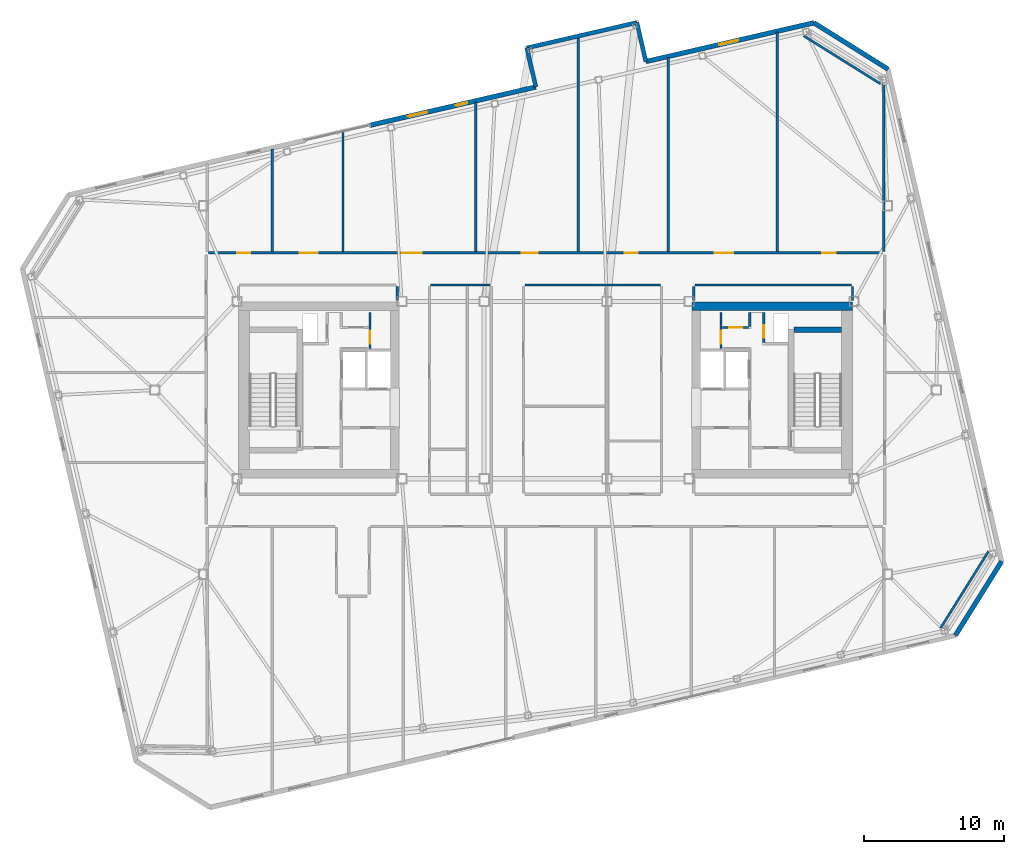
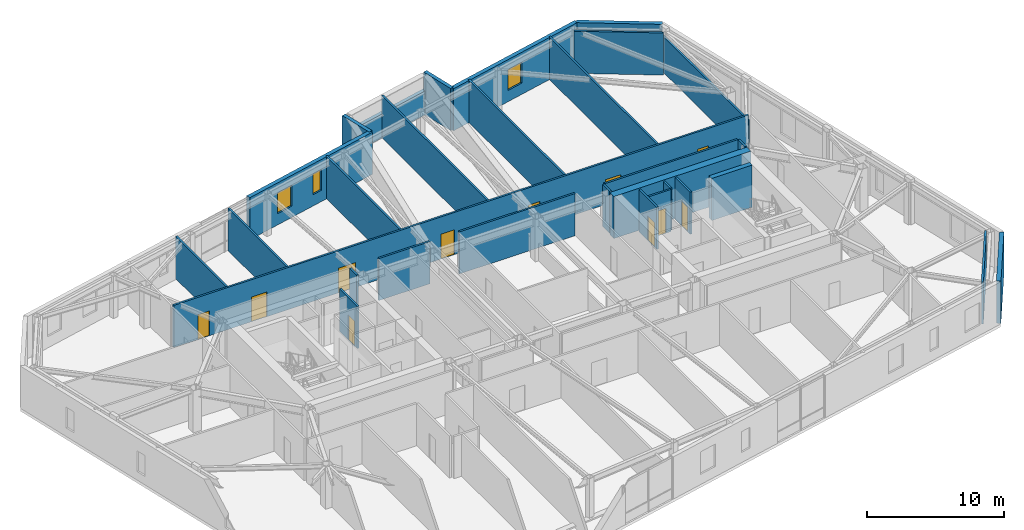
# One storey, part 18 of 22: 30 walls, 11 doors, 3 windows, 14 openings.
"""IFC4 building model written with IfcOpenShell, lengths in metres."""

from ifc_helpers import new_model, si_unit, direction, frame, frame_2d, origin, place, context, subcontext, project, spatial, rectangle, extrude, material, layer, layer_set, type_object, element, fill, save


model = new_model("IFC4")

# Units and contexts
model_context = context("Model", 3, precision=1e-05, world=origin(), true_north=direction((0.0, 1.0)))
body_context = subcontext(model_context, "Body", "Model", "MODEL_VIEW")
ifc_project = project(units=[si_unit("LENGTHUNIT", "METRE"), si_unit("AREAUNIT", "SQUARE_METRE"), si_unit("VOLUMEUNIT", "CUBIC_METRE"), si_unit("PLANEANGLEUNIT", "RADIAN"), si_unit("MASSUNIT", "GRAM", prefix="KILO")], contexts=[model_context])

# Site, building, storey
site_placement = place(None, origin())
site = spatial("IfcSite", under=ifc_project, at=site_placement, CompositionType="ELEMENT")
building_placement = place(site_placement, origin())
building = spatial("IfcBuilding", under=site, at=building_placement, Name="Tavrogorsk Clinical Tower", CompositionType="ELEMENT")
storey_placement = place(building_placement, frame((0.0, 0.0, 313.0)))
storey = spatial("IfcBuildingStorey", under=building, at=storey_placement, Name="L73", CompositionType="ELEMENT", Elevation=313.0)

# Wall, opening, door
ifc_material_1 = material(Name="Lightweight concrete blockwork B15", Category="masonry")
ifc_layer_1 = layer(ifc_material_1, 0.159912109375)
ifc_layer_set_1 = layer_set([ifc_layer_1], Name="Lightweight concrete blockwork B15")
wall_type_1 = type_object("IfcWallType", Name="PartitionWall_160", PredefinedType="PARTITIONING", material=ifc_layer_set_1)
wall_1_placement = place(storey_placement, frame((-12.580078125, 2.9599609375, 0.0), z_axis=(0.0, 0.0, 1.0), x_axis=(0.0, 1.0, 0.0)))
wall_1 = element("IfcWall", 1, at=wall_1_placement, inside=storey, type_object=wall_type_1, Name="L73 Core West Linen Closet Wall", PredefinedType="PARTITIONING", context=body_context, shape_type="SweptSolid", body=[
    extrude(rectangle(XDim=2.60009765625, YDim=0.159912109375, at=frame_2d((1.300048828125, 0.0))), origin(), (0.0, 0.0, 1.0), 3.739990234375),
])
opening_1_placement = place(wall_1_placement, frame((0.35009765625, 0.0, 0.0)))
opening_1 = element("IfcOpeningElement", 2, at=opening_1_placement, cuts=wall_1, Name="Opening ID-02", PredefinedType="OPENING", context=body_context, shape_type="SweptSolid", body=[
    extrude(rectangle(XDim=0.949951171875, YDim=2.199951171875, at=frame_2d((0.47509765625, 1.10009765625))), frame((0.0, 0.08984375, 0.0), z_axis=(0.0, -1.0, 0.0), x_axis=(1.0, 0.0, 0.0)), (0.0, 0.0, 1.0), 0.179931640625),
])
ifc_material_2 = material(Name="Laminated timber leaf on aluminium frame", Category="wood")
door_type_1 = type_object("IfcDoorType", Name="InteriorDoor_ID02_950", OperationType="NOTDEFINED", PredefinedType="DOOR", material=ifc_material_2)
door_1_placement = place(opening_1_placement, origin())
door_1 = element("IfcDoor", 3, at=door_1_placement, inside=storey, type_object=door_type_1, Name="L73 Core West Linen Closet Door", OperationType="SINGLE_SWING_RIGHT", OverallHeight=2.199951171875, OverallWidth=0.949951171875, PredefinedType="DOOR", context=body_context, shape_type="SweptSolid", body=[
    extrude(rectangle(XDim=0.949951171875, YDim=2.199951171875, at=frame_2d((0.47509765625, 1.10009765625))), frame((0.0, 0.02490234375, 0.0), z_axis=(0.0, -1.0, 0.0), x_axis=(1.0, 0.0, 0.0)), (0.0, 0.0, 1.0), 0.050048828125),
])
fill(opening_1, door_1)

wall_2_placement = place(storey_placement, frame((12.580078125, 2.9599609375, 0.0), z_axis=(0.0, 0.0, 1.0), x_axis=(0.0, 1.0, 0.0)))
wall_2 = element("IfcWall", 4, at=wall_2_placement, inside=storey, type_object=wall_type_1, Name="L73 Core East Linen Closet Wall", PredefinedType="PARTITIONING", context=body_context, shape_type="SweptSolid", body=[
    extrude(rectangle(XDim=2.60009765625, YDim=0.159912109375, at=frame_2d((1.300048828125, 0.0))), origin(), (0.0, 0.0, 1.0), 3.739990234375),
])
opening_2_placement = place(wall_2_placement, frame((0.35009765625, 0.0, 0.0)))
opening_2 = element("IfcOpeningElement", 5, at=opening_2_placement, cuts=wall_2, Name="Opening ID-02", PredefinedType="OPENING", context=body_context, shape_type="SweptSolid", body=[
    extrude(rectangle(XDim=0.949951171875, YDim=2.199951171875, at=frame_2d((0.47509765625, 1.10009765625))), frame((0.0, 0.08984375, 0.0), z_axis=(0.0, -1.0, 0.0), x_axis=(1.0, 0.0, 0.0)), (0.0, 0.0, 1.0), 0.179931640625),
])
door_2_placement = place(opening_2_placement, origin())
door_2 = element("IfcDoor", 6, at=door_2_placement, inside=storey, type_object=door_type_1, Name="L73 Core East Linen Closet Door", OperationType="SINGLE_SWING_RIGHT", OverallHeight=2.199951171875, OverallWidth=0.949951171875, PredefinedType="DOOR", context=body_context, shape_type="SweptSolid", body=[
    extrude(rectangle(XDim=0.949951171875, YDim=2.199951171875, at=frame_2d((0.47509765625, 1.10009765625))), frame((0.0, 0.02490234375, 0.0), z_axis=(0.0, -1.0, 0.0), x_axis=(1.0, 0.0, 0.0)), (0.0, 0.0, 1.0), 0.050048828125),
])
fill(opening_2, door_2)

wall_3_placement = place(storey_placement, frame((12.6650390625, 4.47998046875, 0.0), z_axis=(0.0, 0.0, 1.0), x_axis=(1.0, 0.0, 0.0)))
wall_3 = element("IfcWall", 7, at=wall_3_placement, inside=storey, type_object=wall_type_1, Name="L73 Core East Housekeeping South Wall", PredefinedType="PARTITIONING", context=body_context, shape_type="SweptSolid", body=[
    extrude(rectangle(XDim=1.889892578125, YDim=0.159912109375, at=frame_2d((0.94482421875, 0.0))), origin(), (0.0, 0.0, 1.0), 3.739990234375),
])
opening_3_placement = place(wall_3_placement, frame((0.5, 0.0, 0.0)))
opening_3 = element("IfcOpeningElement", 8, at=opening_3_placement, cuts=wall_3, Name="Opening ID-02", PredefinedType="OPENING", context=body_context, shape_type="SweptSolid", body=[
    extrude(rectangle(XDim=0.949951171875, YDim=2.199951171875, at=frame_2d((0.47509765625, 1.10009765625))), frame((0.0, 0.08984375, 0.0), z_axis=(0.0, -1.0, 0.0), x_axis=(1.0, 0.0, 0.0)), (0.0, 0.0, 1.0), 0.179931640625),
])
door_3_placement = place(opening_3_placement, origin())
door_3 = element("IfcDoor", 9, at=door_3_placement, inside=storey, type_object=door_type_1, Name="L73 Core East Housekeeping Closet Door", OperationType="SINGLE_SWING_LEFT", OverallHeight=2.199951171875, OverallWidth=0.949951171875, PredefinedType="DOOR", context=body_context, shape_type="SweptSolid", body=[
    extrude(rectangle(XDim=0.949951171875, YDim=2.199951171875, at=frame_2d((0.47509765625, 1.10009765625))), frame((0.0, 0.02490234375, 0.0), z_axis=(0.0, -1.0, 0.0), x_axis=(1.0, 0.0, 0.0)), (0.0, 0.0, 1.0), 0.050048828125),
])
fill(opening_3, door_3)

# Walls
wall_4_placement = place(storey_placement, frame((14.639892578125, 4.56494140625, 0.0), z_axis=(0.0, 0.0, 1.0), x_axis=(0.0, 1.0, 0.0)))
element("IfcWall", 10, at=wall_4_placement, inside=storey, type_object=wall_type_1, Name="L73 Core East Housekeeping East Wall", PredefinedType="PARTITIONING", context=body_context, shape_type="SweptSolid", body=[
    extrude(rectangle(XDim=0.9951171875, YDim=0.159912109375, at=frame_2d((0.49755859375, 0.0))), origin(), (0.0, 0.0, 1.0), 3.739990234375),
])
for number, where, z_axis, x_axis, name in (
    (11, (28.30029296875, -17.064697265625, 0.0), (0.0, 0.0, 1.0), (0.529914601736, 0.848051009591, 0.0), "L73 Corner Exoskeleton Brace Furring Wall 1"),
    (12, (24.018310546875, 21.9306640625, 0.0), (0.0, 0.0, 1.0), (-0.848051009591, 0.529914601736, 0.0), "L73 Corner Exoskeleton Brace Furring Wall 2"),
):
    element("IfcWall", number, at=place(storey_placement, frame(where, z_axis=z_axis, x_axis=x_axis)), inside=storey, type_object=wall_type_1, Name=name, PredefinedType="PARTITIONING", context=body_context, shape_type="SweptSolid", body=[
        extrude(rectangle(XDim=6.50537109375, YDim=0.159912109375, at=frame_2d((3.252685546875, 0.0))), origin(), (0.0, 0.0, 1.0), 3.739990234375),
    ])

# Wall, openings, doors
wall_5_placement = place(storey_placement, frame((-24.14501953125, 9.830078125, 0.0), z_axis=(0.0, 0.0, 1.0), x_axis=(1.0, 0.0, 0.0)))
wall_5 = element("IfcWall", 13, at=wall_5_placement, inside=storey, type_object=wall_type_1, Name="L73 Corridor Partition 02", PredefinedType="PARTITIONING", context=body_context, shape_type="SweptSolid", body=[
    extrude(rectangle(XDim=48.2900390625, YDim=0.159912109375, at=frame_2d((24.14501953125, 0.0))), origin(), (0.0, 0.0, 1.0), 3.739990234375),
])
opening_4_placement = place(wall_5_placement, frame((2.044189453125, 0.0, 0.0)))
opening_4 = element("IfcOpeningElement", 14, at=opening_4_placement, cuts=wall_5, Name="Opening ID-02", PredefinedType="OPENING", context=body_context, shape_type="SweptSolid", body=[
    extrude(rectangle(XDim=0.949951171875, YDim=2.199951171875, at=frame_2d((0.47509765625, 1.10009765625))), frame((0.0, 0.08984375, 0.0), z_axis=(0.0, -1.0, 0.0), x_axis=(1.0, 0.0, 0.0)), (0.0, 0.0, 1.0), 0.179931640625),
])
opening_5_placement = place(wall_5_placement, frame((6.5400390625, 0.0, 0.0)))
opening_5 = element("IfcOpeningElement", 15, at=opening_5_placement, cuts=wall_5, Name="Opening ID-01", PredefinedType="OPENING", context=body_context, shape_type="SweptSolid", body=[
    extrude(rectangle(XDim=1.300048828125, YDim=2.199951171875, at=frame_2d((0.64990234375, 1.10009765625))), frame((0.0, 0.08984375, 0.0), z_axis=(0.0, -1.0, 0.0), x_axis=(1.0, 0.0, 0.0)), (0.0, 0.0, 1.0), 0.179931640625),
])
opening_6_placement = place(wall_5_placement, frame((13.830078125, 0.0, 0.0)))
opening_6 = element("IfcOpeningElement", 16, at=opening_6_placement, cuts=wall_5, Name="Opening ID-05", PredefinedType="OPENING", context=body_context, shape_type="SweptSolid", body=[
    extrude(rectangle(XDim=1.449951171875, YDim=2.199951171875, at=frame_2d((0.72509765625, 1.10009765625))), frame((0.0, 0.08984375, 0.0), z_axis=(0.0, -1.0, 0.0), x_axis=(1.0, 0.0, 0.0)), (0.0, 0.0, 1.0), 0.179931640625),
])
opening_7_placement = place(wall_5_placement, frame((22.429931640625, 0.0, 0.0)))
opening_7 = element("IfcOpeningElement", 17, at=opening_7_placement, cuts=wall_5, Name="Opening ID-06", PredefinedType="OPENING", context=body_context, shape_type="SweptSolid", body=[
    extrude(rectangle(XDim=1.14990234375, YDim=2.199951171875, at=frame_2d((0.574951171875, 1.10009765625))), frame((0.0, 0.08984375, 0.0), z_axis=(0.0, -1.0, 0.0), x_axis=(1.0, 0.0, 0.0)), (0.0, 0.0, 1.0), 0.179931640625),
])
opening_8_placement = place(wall_5_placement, frame((29.81005859375, 0.0, 0.0)))
opening_8 = element("IfcOpeningElement", 18, at=opening_8_placement, cuts=wall_5, Name="Opening ID-02", PredefinedType="OPENING", context=body_context, shape_type="SweptSolid", body=[
    extrude(rectangle(XDim=0.949951171875, YDim=2.199951171875, at=frame_2d((0.47509765625, 1.10009765625))), frame((0.0, 0.08984375, 0.0), z_axis=(0.0, -1.0, 0.0), x_axis=(1.0, 0.0, 0.0)), (0.0, 0.0, 1.0), 0.179931640625),
])
opening_9_placement = place(wall_5_placement, frame((36.280029296875, 0.0, 0.0)))
opening_9 = element("IfcOpeningElement", 19, at=opening_9_placement, cuts=wall_5, Name="Opening ID-01", PredefinedType="OPENING", context=body_context, shape_type="SweptSolid", body=[
    extrude(rectangle(XDim=1.300048828125, YDim=2.199951171875, at=frame_2d((0.64990234375, 1.10009765625))), frame((0.0, 0.08984375, 0.0), z_axis=(0.0, -1.0, 0.0), x_axis=(1.0, 0.0, 0.0)), (0.0, 0.0, 1.0), 0.179931640625),
])
opening_10_placement = place(wall_5_placement, frame((43.975830078125, 0.0, 0.0)))
opening_10 = element("IfcOpeningElement", 20, at=opening_10_placement, cuts=wall_5, Name="Opening ID-02", PredefinedType="OPENING", context=body_context, shape_type="SweptSolid", body=[
    extrude(rectangle(XDim=0.949951171875, YDim=2.199951171875, at=frame_2d((0.47509765625, 1.10009765625))), frame((0.0, 0.08984375, 0.0), z_axis=(0.0, -1.0, 0.0), x_axis=(1.0, 0.0, 0.0)), (0.0, 0.0, 1.0), 0.179931640625),
])
ifc_material_3 = material(Name="Antibacterial HPL bariatric ward double door")
door_type_2 = type_object("IfcDoorType", Name="DoubleWardDoor_ID05_1450", OperationType="DOUBLE_SWING_LEFT", PredefinedType="DOOR", material=ifc_material_3)
door_4_placement = place(opening_6_placement, origin())
door_4 = element("IfcDoor", 21, at=door_4_placement, inside=storey, type_object=door_type_2, Name="L73 North Sub-Acute Recovery Ward 03 Door", OperationType="DOUBLE_SWING_LEFT", OverallHeight=2.199951171875, OverallWidth=1.449951171875, PredefinedType="DOOR", context=body_context, shape_type="SweptSolid", body=[
    extrude(rectangle(XDim=1.449951171875, YDim=2.199951171875, at=frame_2d((0.72509765625, 1.10009765625))), frame((0.0, 0.02490234375, 0.0), z_axis=(0.0, -1.0, 0.0), x_axis=(1.0, 0.0, 0.0)), (0.0, 0.0, 1.0), 0.050048828125),
])
fill(opening_6, door_4)
door_5_placement = place(opening_4_placement, origin())
door_5 = element("IfcDoor", 22, at=door_5_placement, inside=storey, type_object=door_type_1, Name="L73 North Patient & Family Quiet Lounge 01 Door", OperationType="SINGLE_SWING_LEFT", OverallHeight=2.199951171875, OverallWidth=0.949951171875, PredefinedType="DOOR", context=body_context, shape_type="SweptSolid", body=[
    extrude(rectangle(XDim=0.949951171875, YDim=2.199951171875, at=frame_2d((0.47509765625, 1.10009765625))), frame((0.0, 0.02490234375, 0.0), z_axis=(0.0, -1.0, 0.0), x_axis=(1.0, 0.0, 0.0)), (0.0, 0.0, 1.0), 0.050048828125),
])
fill(opening_4, door_5)
door_6_placement = place(opening_8_placement, origin())
door_6 = element("IfcDoor", 23, at=door_6_placement, inside=storey, type_object=door_type_1, Name="L73 North Patient & Family Quiet Lounge 04B Door", OperationType="SINGLE_SWING_LEFT", OverallHeight=2.199951171875, OverallWidth=0.949951171875, PredefinedType="DOOR", context=body_context, shape_type="SweptSolid", body=[
    extrude(rectangle(XDim=0.949951171875, YDim=2.199951171875, at=frame_2d((0.47509765625, 1.10009765625))), frame((0.0, 0.02490234375, 0.0), z_axis=(0.0, -1.0, 0.0), x_axis=(1.0, 0.0, 0.0)), (0.0, 0.0, 1.0), 0.050048828125),
])
fill(opening_8, door_6)
door_7_placement = place(opening_10_placement, origin())
door_7 = element("IfcDoor", 24, at=door_7_placement, inside=storey, type_object=door_type_1, Name="L73 North Clinical Examination Suite 06 Door", OperationType="SINGLE_SWING_LEFT", OverallHeight=2.199951171875, OverallWidth=0.949951171875, PredefinedType="DOOR", context=body_context, shape_type="SweptSolid", body=[
    extrude(rectangle(XDim=0.949951171875, YDim=2.199951171875, at=frame_2d((0.47509765625, 1.10009765625))), frame((0.0, 0.02490234375, 0.0), z_axis=(0.0, -1.0, 0.0), x_axis=(1.0, 0.0, 0.0)), (0.0, 0.0, 1.0), 0.050048828125),
])
fill(opening_10, door_7)
ifc_material_4 = material(Name="Antibacterial HPL procedure door on aluminium frame", Category="aluminium")
door_type_3 = type_object("IfcDoorType", Name="LabDoor_ID06_1150", OperationType="NOTDEFINED", PredefinedType="DOOR", material=ifc_material_4)
door_8_placement = place(opening_7_placement, origin())
door_8 = element("IfcDoor", 25, at=door_8_placement, inside=storey, type_object=door_type_3, Name="L73 North Multidisciplinary Case Room 04A Door", OperationType="SINGLE_SWING_RIGHT", OverallHeight=2.199951171875, OverallWidth=1.14990234375, PredefinedType="DOOR", context=body_context, shape_type="SweptSolid", body=[
    extrude(rectangle(XDim=1.14990234375, YDim=2.199951171875, at=frame_2d((0.574951171875, 1.10009765625))), frame((0.0, 0.02490234375, 0.0), z_axis=(0.0, -1.0, 0.0), x_axis=(1.0, 0.0, 0.0)), (0.0, 0.0, 1.0), 0.050048828125),
])
fill(opening_7, door_8)
ifc_material_5 = material(Name="Antibacterial HPL medical leaf on aluminium frame", Category="aluminium")
door_type_4 = type_object("IfcDoorType", Name="WardBedDoor_ID01_1300", OperationType="NOTDEFINED", PredefinedType="DOOR", material=ifc_material_5)
door_9_placement = place(opening_5_placement, origin())
door_9 = element("IfcDoor", 26, at=door_9_placement, inside=storey, type_object=door_type_4, Name="L73 North Acute Isolation Suite 02 Door", OperationType="SINGLE_SWING_RIGHT", OverallHeight=2.199951171875, OverallWidth=1.300048828125, PredefinedType="DOOR", context=body_context, shape_type="SweptSolid", body=[
    extrude(rectangle(XDim=1.300048828125, YDim=2.199951171875, at=frame_2d((0.64990234375, 1.10009765625))), frame((0.0, 0.02490234375, 0.0), z_axis=(0.0, -1.0, 0.0), x_axis=(1.0, 0.0, 0.0)), (0.0, 0.0, 1.0), 0.050048828125),
])
fill(opening_5, door_9)
door_10_placement = place(opening_9_placement, origin())
door_10 = element("IfcDoor", 27, at=door_10_placement, inside=storey, type_object=door_type_4, Name="L73 North Inpatient Clinical Ward 05 Door", OperationType="SINGLE_SWING_RIGHT", OverallHeight=2.199951171875, OverallWidth=1.300048828125, PredefinedType="DOOR", context=body_context, shape_type="SweptSolid", body=[
    extrude(rectangle(XDim=1.300048828125, YDim=2.199951171875, at=frame_2d((0.64990234375, 1.10009765625))), frame((0.0, 0.02490234375, 0.0), z_axis=(0.0, -1.0, 0.0), x_axis=(1.0, 0.0, 0.0)), (0.0, 0.0, 1.0), 0.050048828125),
])
fill(opening_9, door_10)

# Walls
wall_6_placement = place(storey_placement, frame((21.9150390625, 7.52001953125, 0.0), z_axis=(0.0, 0.0, 1.0), x_axis=(-1.0, 0.0, 0.0)))
element("IfcWall", 28, at=wall_6_placement, inside=storey, type_object=wall_type_1, Name="L73 Corridor Partition 09", PredefinedType="PARTITIONING", context=body_context, shape_type="SweptSolid", body=[
    extrude(rectangle(XDim=11.199951171875, YDim=0.159912109375, at=frame_2d((5.60009765625, 0.0))), origin(), (0.0, 0.0, 1.0), 3.739990234375),
])
for number, where, z_axis, x_axis, name in (
    (29, (10.6298828125, 7.43505859375, 0.0), (0.0, 0.0, 1.0), (0.0, -1.0, 0.0), "L73 Corridor Partition 10"),
    (30, (22.0, 6.419921875, 0.0), (0.0, 0.0, 1.0), (0.0, 1.0, 0.0), "L73 Corridor Partition 14"),
):
    element("IfcWall", number, at=place(storey_placement, frame(where, z_axis=z_axis, x_axis=x_axis)), inside=storey, type_object=wall_type_1, Name=name, PredefinedType="PARTITIONING", context=body_context, shape_type="SweptSolid", body=[
        extrude(rectangle(XDim=1.01513671875, YDim=0.159912109375, at=frame_2d((0.507568359375, 0.0))), origin(), (0.0, 0.0, 1.0), 3.739990234375),
    ])
wall_7_placement = place(storey_placement, frame((8.235107421875, 7.52001953125, 0.0), z_axis=(0.0, 0.0, 1.0), x_axis=(-1.0, 0.0, 0.0)))
element("IfcWall", 31, at=wall_7_placement, inside=storey, type_object=wall_type_1, Name="L73 Corridor Partition 15", PredefinedType="PARTITIONING", context=body_context, shape_type="SweptSolid", body=[
    extrude(rectangle(XDim=9.72021484375, YDim=0.159912109375, at=frame_2d((4.860107421875, 0.0))), origin(), (0.0, 0.0, 1.0), 3.739990234375),
])
wall_8_placement = place(storey_placement, frame((-3.965087890625, 7.52001953125, 0.0), z_axis=(0.0, 0.0, 1.0), x_axis=(-1.0, 0.0, 0.0)))
element("IfcWall", 32, at=wall_8_placement, inside=storey, type_object=wall_type_1, Name="L73 Corridor Partition 20", PredefinedType="PARTITIONING", context=body_context, shape_type="SweptSolid", body=[
    extrude(rectangle(XDim=4.27001953125, YDim=0.159912109375, at=frame_2d((2.135009765625, 0.0))), origin(), (0.0, 0.0, 1.0), 3.739990234375),
])
wall_9_placement = place(storey_placement, frame((-10.6298828125, 6.419921875, 0.0), z_axis=(0.0, 0.0, 1.0), x_axis=(0.0, 1.0, 0.0)))
element("IfcWall", 33, at=wall_9_placement, inside=storey, type_object=wall_type_1, Name="L73 Corridor Partition 24", PredefinedType="PARTITIONING", context=body_context, shape_type="SweptSolid", body=[
    extrude(rectangle(XDim=1.01513671875, YDim=0.159912109375, at=frame_2d((0.507568359375, 0.0))), origin(), (0.0, 0.0, 1.0), 3.739990234375),
])
wall_10_placement = place(storey_placement, frame((24.22998046875, 9.9150390625, 0.0), z_axis=(0.0, 0.0, 1.0), x_axis=(0.0, 1.0, 0.0)))
element("IfcWall", 34, at=wall_10_placement, inside=storey, type_object=wall_type_1, Name="L73 NE Wing Closure Partition", PredefinedType="PARTITIONING", context=body_context, shape_type="SweptSolid", body=[
    extrude(rectangle(XDim=12.65625, YDim=0.159912109375, at=frame_2d((6.328125, 0.0))), origin(), (0.0, 0.0, 1.0), 3.18505859375),
])
wall_11_placement = place(storey_placement, frame((-19.580078125, 9.9150390625, 0.0), z_axis=(0.0, 0.0, 1.0), x_axis=(0.0, 1.0, 0.0)))
element("IfcWall", 35, at=wall_11_placement, inside=storey, type_object=wall_type_1, Name="L73 North Room Partition 1", PredefinedType="PARTITIONING", context=body_context, shape_type="SweptSolid", body=[
    extrude(rectangle(XDim=7.369384765625, YDim=0.159912109375, at=frame_2d((3.6845703125, 0.0))), origin(), (0.0, 0.0, 1.0), 3.739990234375),
])
wall_12_placement = place(storey_placement, frame((-14.5, 9.9150390625, 0.0), z_axis=(0.0, 0.0, 1.0), x_axis=(0.0, 1.0, 0.0)))
element("IfcWall", 36, at=wall_12_placement, inside=storey, type_object=wall_type_1, Name="L73 North Room Partition 2", PredefinedType="PARTITIONING", context=body_context, shape_type="SweptSolid", body=[
    extrude(rectangle(XDim=8.542236328125, YDim=0.159912109375, at=frame_2d((4.27099609375, 0.0))), origin(), (0.0, 0.0, 1.0), 3.739990234375),
])
wall_13_placement = place(storey_placement, frame((-5.0, 9.9150390625, 0.0), z_axis=(0.0, 0.0, 1.0), x_axis=(0.0, 1.0, 0.0)))
element("IfcWall", 37, at=wall_13_placement, inside=storey, type_object=wall_type_1, Name="L73 North Room Partition 3", PredefinedType="PARTITIONING", context=body_context, shape_type="SweptSolid", body=[
    extrude(rectangle(XDim=10.7353515625, YDim=0.159912109375, at=frame_2d((5.36767578125, 0.0))), origin(), (0.0, 0.0, 1.0), 3.739990234375),
])
wall_14_placement = place(storey_placement, frame((8.800048828125, 9.9150390625, 0.0), z_axis=(0.0, 0.0, 1.0), x_axis=(0.0, 1.0, 0.0)))
element("IfcWall", 38, at=wall_14_placement, inside=storey, type_object=wall_type_1, Name="L73 North Room Partition 4", PredefinedType="PARTITIONING", context=body_context, shape_type="SweptSolid", body=[
    extrude(rectangle(XDim=13.92138671875, YDim=0.159912109375, at=frame_2d((6.960693359375, 0.0))), origin(), (0.0, 0.0, 1.0), 3.739990234375),
])
wall_15_placement = place(storey_placement, frame((16.60009765625, 9.9150390625, 0.0), z_axis=(0.0, 0.0, 1.0), x_axis=(0.0, 1.0, 0.0)))
element("IfcWall", 39, at=wall_15_placement, inside=storey, type_object=wall_type_1, Name="L73 North Room Partition 5", PredefinedType="PARTITIONING", context=body_context, shape_type="SweptSolid", body=[
    extrude(rectangle(XDim=15.72216796875, YDim=0.159912109375, at=frame_2d((7.861083984375, 0.0))), origin(), (0.0, 0.0, 1.0), 3.739990234375),
])
wall_16_placement = place(storey_placement, frame((2.35009765625, 9.9150390625, 0.0), z_axis=(0.0, 0.0, 1.0), x_axis=(0.0, 1.0, 0.0)))
element("IfcWall", 40, at=wall_16_placement, inside=storey, type_object=wall_type_1, Name="L73 North Sub-Partition 4", PredefinedType="PARTITIONING", context=body_context, shape_type="SweptSolid", body=[
    extrude(rectangle(XDim=15.357421875, YDim=0.159912109375, at=frame_2d((7.6787109375, 0.0))), origin(), (0.0, 0.0, 1.0), 3.739990234375),
])

# Wall, opening, window
ifc_material_6 = material(Name="Precast concrete B45 with limestone cladding", Category="masonry")
ifc_layer_2 = layer(ifc_material_6, 0.340087890625)
ifc_layer_set_2 = layer_set([ifc_layer_2], Name="Precast concrete B45 with limestone cladding")
wall_type_2 = type_object("IfcWallType", Name="PrecastLimestoneWall_340", PredefinedType="STANDARD", material=ifc_layer_set_2)
wall_17_placement = place(storey_placement, frame((19.2294921875, 26.316162109375, 0.0), z_axis=(0.0, 0.0, 1.0), x_axis=(-0.974371201193, -0.224946131964, 0.0)))
wall_17 = element("IfcWall", 41, at=wall_17_placement, inside=storey, type_object=wall_type_2, Name="L73 N Limestone Facade Wall 1", PredefinedType="STANDARD", context=body_context, shape_type="SweptSolid", body=[
    extrude(rectangle(XDim=12.349853515625, YDim=0.340087890625, at=frame_2d((6.1748046875, 0.0))), origin(), (0.0, 0.0, 1.0), 3.739990234375),
])
opening_11_placement = place(wall_17_placement, frame((5.552978515625, 0.0, 1.0)))
opening_11 = element("IfcOpeningElement", 42, at=opening_11_placement, cuts=wall_17, Name="Opening WN-17", PredefinedType="OPENING", context=body_context, shape_type="SweptSolid", body=[
    extrude(rectangle(XDim=1.39990234375, YDim=1.85009765625, at=frame_2d((0.699951171875, 0.925048828125))), frame((0.0, 0.179931640625, 0.0), z_axis=(0.0, -1.0, 0.0), x_axis=(1.0, 0.0, 0.0)), (0.0, 0.0, 1.0), 0.360107421875),
])
ifc_material_7 = material(Name="Thermally broken aluminium frame and triple IGU", Category="aluminium")
window_type_1 = type_object("IfcWindowType", Name="TelemetryWin_1400x1850", PartitioningType="SINGLE_PANEL", PredefinedType="WINDOW", material=ifc_material_7)
window_1_placement = place(opening_11_placement, origin())
window_1 = element("IfcWindow", 43, at=window_1_placement, inside=storey, type_object=window_type_1, Name="L73 N Chicago Window 09", OverallHeight=1.85009765625, OverallWidth=1.39990234375, PartitioningType="SINGLE_PANEL", PredefinedType="WINDOW", context=body_context, shape_type="SweptSolid", body=[
    extrude(rectangle(XDim=1.39990234375, YDim=1.85009765625, at=frame_2d((0.699951171875, 0.925048828125))), frame((0.0, 0.030029296875, 0.0), z_axis=(0.0, -1.0, 0.0), x_axis=(1.0, 0.0, 0.0)), (0.0, 0.0, 1.0), 0.06005859375),
])
fill(opening_11, window_1)

# Wall, openings, windows
wall_18_placement = place(storey_placement, frame((-0.6962890625, 21.716064453125, 0.0), z_axis=(0.0, 0.0, 1.0), x_axis=(-0.974367550465, -0.224961944785, 0.0)))
wall_18 = element("IfcWall", 44, at=wall_18_placement, inside=storey, type_object=wall_type_2, Name="L73 N Limestone Facade Wall 2", PredefinedType="STANDARD", context=body_context, shape_type="SweptSolid", body=[
    extrude(rectangle(XDim=12.18408203125, YDim=0.340087890625, at=frame_2d((6.092041015625, 0.0))), origin(), (0.0, 0.0, 1.0), 3.739990234375),
])
opening_12_placement = place(wall_18_placement, frame((8.005859375, 0.0, 1.0)))
opening_12 = element("IfcOpeningElement", 45, at=opening_12_placement, cuts=wall_18, Name="Opening WN-17", PredefinedType="OPENING", context=body_context, shape_type="SweptSolid", body=[
    extrude(rectangle(XDim=1.39990234375, YDim=1.85009765625, at=frame_2d((0.699951171875, 0.925048828125))), frame((0.0, 0.179931640625, 0.0), z_axis=(0.0, -1.0, 0.0), x_axis=(1.0, 0.0, 0.0)), (0.0, 0.0, 1.0), 0.360107421875),
])
opening_13_placement = place(wall_18_placement, frame((5.044189453125, 0.0, 1.0)))
opening_13 = element("IfcOpeningElement", 46, at=opening_13_placement, cuts=wall_18, Name="Opening WN-06", PredefinedType="OPENING", context=body_context, shape_type="SweptSolid", body=[
    extrude(rectangle(XDim=0.85009765625, YDim=1.85009765625, at=frame_2d((0.425048828125, 0.925048828125))), frame((0.0, 0.179931640625, 0.0), z_axis=(0.0, -1.0, 0.0), x_axis=(1.0, 0.0, 0.0)), (0.0, 0.0, 1.0), 0.360107421875),
])
ifc_material_8 = material(Name="Thermally broken aluminium frame and triple IGU", Category="aluminium")
window_type_2 = type_object("IfcWindowType", Name="MullionSubWin_850x1850", PartitioningType="SINGLE_PANEL", PredefinedType="WINDOW", material=ifc_material_8)
window_2_placement = place(opening_13_placement, origin())
window_2 = element("IfcWindow", 47, at=window_2_placement, inside=storey, type_object=window_type_2, Name="L73 N Mullion Split Window 06B", OverallHeight=1.85009765625, OverallWidth=0.85009765625, PartitioningType="SINGLE_PANEL", PredefinedType="WINDOW", context=body_context, shape_type="SweptSolid", body=[
    extrude(rectangle(XDim=0.85009765625, YDim=1.85009765625, at=frame_2d((0.425048828125, 0.925048828125))), frame((0.0, 0.030029296875, 0.0), z_axis=(0.0, -1.0, 0.0), x_axis=(1.0, 0.0, 0.0)), (0.0, 0.0, 1.0), 0.06005859375),
])
fill(opening_13, window_2)
window_3_placement = place(opening_12_placement, origin())
window_3 = element("IfcWindow", 48, at=window_3_placement, inside=storey, type_object=window_type_1, Name="L73 N Chicago Window 05", OverallHeight=1.85009765625, OverallWidth=1.39990234375, PartitioningType="SINGLE_PANEL", PredefinedType="WINDOW", context=body_context, shape_type="SweptSolid", body=[
    extrude(rectangle(XDim=1.39990234375, YDim=1.85009765625, at=frame_2d((0.699951171875, 0.925048828125))), frame((0.0, 0.030029296875, 0.0), z_axis=(0.0, -1.0, 0.0), x_axis=(1.0, 0.0, 0.0)), (0.0, 0.0, 1.0), 0.06005859375),
])
fill(opening_12, window_3)

# Walls
for number, where, z_axis, x_axis, name in (
    (49, (29.365966796875, -17.5888671875, 0.0), (0.0, 0.0, 1.0), (0.529907862057, 0.848055220921, 0.0), "L73 Chamfered Corner Wall 1"),
    (50, (24.54248046875, 22.996337890625, 0.0), (0.0, 0.0, 1.0), (-0.848055220921, 0.529907862057, 0.0), "L73 Chamfered Corner Wall 2"),
):
    element("IfcWall", number, at=place(storey_placement, frame(where, z_axis=z_axis, x_axis=x_axis)), inside=storey, type_object=wall_type_2, Name=name, PredefinedType="STANDARD", context=body_context, shape_type="SweptSolid", body=[
        extrude(rectangle(XDim=6.264892578125, YDim=0.340087890625, at=frame_2d((3.13232421875, 0.0))), origin(), (0.0, 0.0, 1.0), 3.739990234375),
    ])
wall_19_placement = place(storey_placement, frame((-1.341796875, 24.512451171875, 0.0), z_axis=(0.0, 0.0, 1.0), x_axis=(0.974371888243, 0.224943155936, 0.0)))
element("IfcWall", 51, at=wall_19_placement, inside=storey, type_object=wall_type_2, Name="L73 Day-Room Limestone Front DRB-10", PredefinedType="STANDARD", context=body_context, shape_type="SweptSolid", body=[
    extrude(rectangle(XDim=8.099853515625, YDim=0.300048828125, at=frame_2d((4.0498046875, 0.0))), origin(), (0.0, 0.0, 1.0), 2.135009765625),
])

# Wall, opening, door
ifc_material_9 = material(Name="Lightweight concrete blockwork B25", Category="masonry")
ifc_layer_3 = layer(ifc_material_9, 0.159912109375)
ifc_layer_set_3 = layer_set([ifc_layer_3], Name="Lightweight concrete blockwork B25")
wall_type_3 = type_object("IfcWallType", Name="ShaftWall_160", PredefinedType="PARTITIONING", material=ifc_layer_set_3)
wall_20_placement = place(storey_placement, frame((15.639892578125, 3.405029296875, 0.0), z_axis=(0.0, 0.0, 1.0), x_axis=(0.0, 1.0, 0.0)))
wall_20 = element("IfcWall", 52, at=wall_20_placement, inside=storey, type_object=wall_type_3, Name="L73 Core East Riser West Wall", PredefinedType="PARTITIONING", context=body_context, shape_type="SweptSolid", body=[
    extrude(rectangle(XDim=2.155029296875, YDim=0.159912109375, at=frame_2d((1.07763671875, 0.0))), origin(), (0.0, 0.0, 1.0), 3.739990234375),
])
opening_14_placement = place(wall_20_placement, frame((0.35009765625, 0.0, 0.0)))
opening_14 = element("IfcOpeningElement", 53, at=opening_14_placement, cuts=wall_20, Name="Opening FD-02", PredefinedType="OPENING", context=body_context, shape_type="SweptSolid", body=[
    extrude(rectangle(XDim=0.89990234375, YDim=2.199951171875, at=frame_2d((0.449951171875, 1.10009765625))), frame((0.0, 0.08984375, 0.0), z_axis=(0.0, -1.0, 0.0), x_axis=(1.0, 0.0, 0.0)), (0.0, 0.0, 1.0), 0.179931640625),
])
ifc_material_10 = material(Name="Galvanised steel fire-rated door assembly", Category="steel")
door_type_5 = type_object("IfcDoorType", Name="FireDoor_FD02_900", OperationType="NOTDEFINED", PredefinedType="DOOR", material=ifc_material_10)
door_11_placement = place(opening_14_placement, origin())
door_11 = element("IfcDoor", 54, at=door_11_placement, inside=storey, type_object=door_type_5, Name="L73 Core East Electrical Riser Access Door", OperationType="SINGLE_SWING_LEFT", OverallHeight=2.199951171875, OverallWidth=0.89990234375, PredefinedType="DOOR", context=body_context, shape_type="SweptSolid", body=[
    extrude(rectangle(XDim=0.89990234375, YDim=2.199951171875, at=frame_2d((0.449951171875, 1.10009765625))), frame((0.0, 0.02490234375, 0.0), z_axis=(0.0, -1.0, 0.0), x_axis=(1.0, 0.0, 0.0)), (0.0, 0.0, 1.0), 0.050048828125),
])
fill(opening_14, door_11)

# Walls
ifc_material_11 = material(Name="Concrete B80", Category="concrete")
ifc_layer_4 = layer(ifc_material_11, 0.39990234375)
ifc_layer_set_4 = layer_set([ifc_layer_4], Name="Concrete B80")
wall_type_4 = type_object("IfcWallType", Name="ShearWall_400", PredefinedType="SHEAR", material=ifc_layer_set_4)
wall_21_placement = place(storey_placement, frame((17.800048828125, 4.324951171875, 0.0), z_axis=(0.0, 0.0, 1.0), x_axis=(1.0, 0.0, 0.0)))
element("IfcWall", 55, at=wall_21_placement, inside=storey, type_object=wall_type_4, Name="L73 Core East Stair Shaft North Shear Wall", PredefinedType="SHEAR", context=body_context, shape_type="SweptSolid", body=[
    extrude(rectangle(XDim=3.39990234375, YDim=0.39990234375, at=frame_2d((1.699951171875, 0.0))), origin(), (0.0, 0.0, 1.0), 3.739990234375),
])
ifc_material_12 = material(Name="Concrete B80", Category="concrete")
ifc_layer_5 = layer(ifc_material_12, 0.60009765625)
ifc_layer_set_5 = layer_set([ifc_layer_5], Name="Concrete B80")
wall_type_5 = type_object("IfcWallType", Name="ShearWall_600", PredefinedType="SHEAR", material=ifc_layer_set_5)
wall_22_placement = place(storey_placement, frame((10.5, 6.0, 0.0), z_axis=(0.0, 0.0, 1.0), x_axis=(1.0, 0.0, 0.0)))
element("IfcWall", 56, at=wall_22_placement, inside=storey, type_object=wall_type_5, Name="L73 Core East North Shear Wall", PredefinedType="SHEAR", context=body_context, shape_type="SweptSolid", body=[
    extrude(rectangle(XDim=11.5, YDim=0.60009765625, at=frame_2d((5.75, 0.0))), origin(), (0.0, 0.0, 1.0), 3.739990234375),
])
ifc_material_13 = material(Name="Precast concrete B45 with mineral wool", Category="concrete")
ifc_layer_6 = layer(ifc_material_13, 0.300048828125)
ifc_layer_set_6 = layer_set([ifc_layer_6], Name="Precast concrete B45 with mineral wool")
wall_type_6 = type_object("IfcWallType", Name="SpandrelBackWall_300", PredefinedType="STANDARD", material=ifc_layer_set_6)
for number, where, z_axis, x_axis, name in (
    (57, (-0.6962890625, 21.716064453125, 0.0), (0.0, 0.0, 1.0), (-0.224921635065, 0.974376856293, 0.0), "L73 Day-Room Cheek Wall DRB-10-L"),
    (58, (7.196044921875, 23.5380859375, 0.0), (0.0, 0.0, 1.0), (-0.224921635065, 0.974376856293, 0.0), "L73 Day-Room Cheek Wall DRB-10-R"),
):
    element("IfcWall", number, at=place(storey_placement, frame(where, z_axis=z_axis, x_axis=x_axis)), inside=storey, type_object=wall_type_6, Name=name, PredefinedType="STANDARD", context=body_context, shape_type="SweptSolid", body=[
        extrude(rectangle(XDim=2.869873046875, YDim=0.300048828125, at=frame_2d((1.43505859375, 0.0))), origin(), (0.0, 0.0, 1.0), 3.739990234375),
    ])

save(model, "model.ifc")
